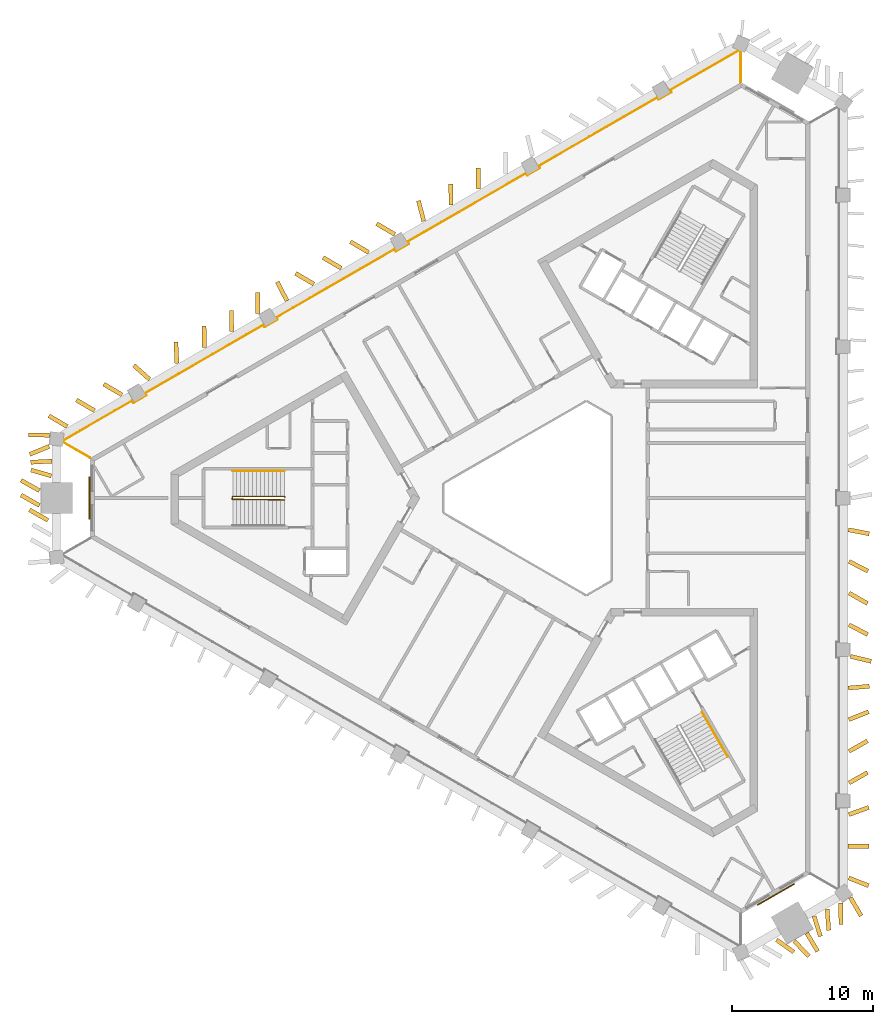
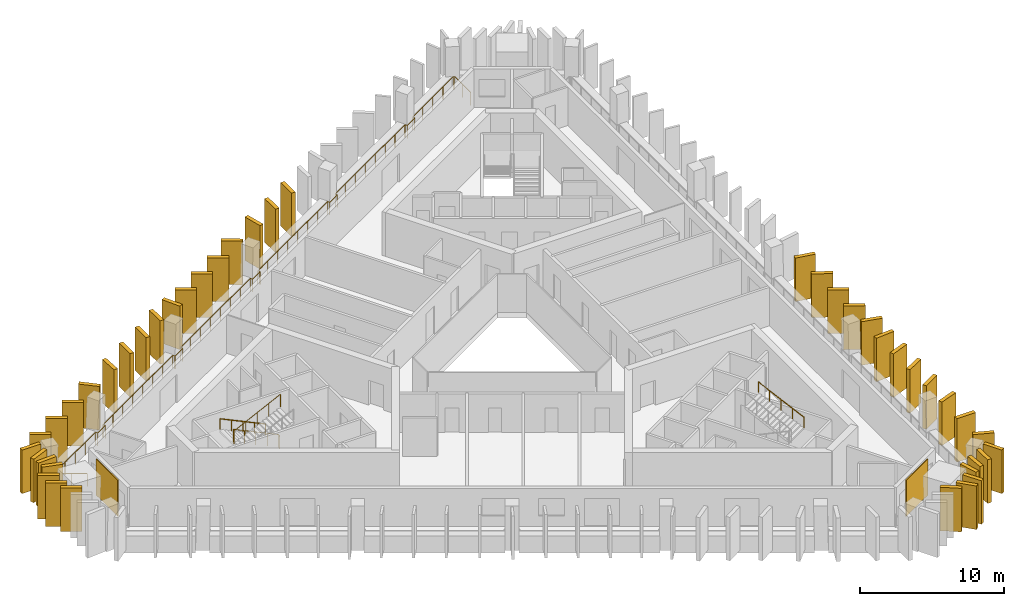
# One storey, part 8 of 9: 42 shading devices, 4 railings, 2 coverings.
"""IFC4 building model written with IfcOpenShell, lengths in metres."""

from ifc_helpers import new_model, si_unit, direction, frame, frame_2d, origin, origin_2d, place, context, subcontext, project, spatial, rectangle, circle, extrude, material, layer, layer_set, type_object, element, save


model = new_model("IFC4")

# Units and contexts
model_context = context("Model", 3, precision=1e-05, world=origin(), true_north=direction((0.0, 1.0)))
body_context = subcontext(model_context, "Body", "Model", "MODEL_VIEW")
ifc_project = project(units=[si_unit("LENGTHUNIT", "METRE"), si_unit("AREAUNIT", "SQUARE_METRE"), si_unit("VOLUMEUNIT", "CUBIC_METRE"), si_unit("PLANEANGLEUNIT", "RADIAN"), si_unit("MASSUNIT", "GRAM", prefix="KILO")], contexts=[model_context])

# Site, building, storey
site_placement = place(None, origin())
site = spatial("IfcSite", under=ifc_project, at=site_placement, CompositionType="ELEMENT")
building_placement = place(site_placement, origin())
building = spatial("IfcBuilding", under=site, at=building_placement, Name="Jabali Bay Hotel Tower and Convention Centre", CompositionType="ELEMENT")
storey_placement = place(building_placement, frame((0.0, 0.0, 182.199951171875)))
storey = spatial("IfcBuildingStorey", under=building, at=storey_placement, Name="L44", CompositionType="ELEMENT", Elevation=182.199951171875)

# Railing
ifc_material_1 = material(Name="Glass", Category="glass")
railing_type_1 = type_object("IfcRailingType", Name="Loggia glass guard 1100", PredefinedType="BALUSTRADE", material=ifc_material_1)
railing_1_placement = place(storey_placement, frame((42.690673828125, 82.85498046875, 0.0)))
element("IfcRailing", 1, at=railing_1_placement, inside=storey, type_object=railing_type_1, Name="Loggia glass guard L44", PredefinedType="BALUSTRADE", context=body_context, shape_type="SweptSolid", body=[
    extrude(circle(Radius=0.02490234375, at=origin_2d()), frame((0.0, 0.0, 1.0751953125), z_axis=(-0.866035418383, 0.499982653806, 0.0), x_axis=(-0.495705232892, -0.858626365323, 0.13052619222)), (0.0, 0.0, 1.0), 2.19287109375),
    extrude(circle(Radius=0.02490234375, at=origin_2d()), frame((-1.899169921875, 1.096435546875, 1.0751953125), z_axis=(0.119984594018, 0.992775753732, 0.0), x_axis=(-0.984282419534, 0.118958109183, 0.13052619222)), (0.0, 0.0, 1.0), 0.126220703125),
    extrude(circle(Radius=0.02490234375, at=origin_2d()), frame((-1.884033203125, 1.2216796875, 1.0751953125), z_axis=(0.866019052629, 0.500011000363, 0.0), x_axis=(-0.49573333694, 0.858610139581, 0.13052619222)), (0.0, 0.0, 1.0), 5.614990234375),
    extrude(circle(Radius=0.02490234375, at=origin_2d()), frame((2.978759765625, 4.029296875, 1.0751953125), z_axis=(0.500486622847, -0.865744269604, 0.0), x_axis=(0.858337707362, 0.496204890408, 0.13052619222)), (0.0, 0.0, 1.0), 0.175048828125),
    extrude(circle(Radius=0.02490234375, at=origin_2d()), frame((3.06640625, 3.877685546875, 1.0751953125), z_axis=(0.86592997719, 0.500165247297, 0.0), x_axis=(-0.495886264271, 0.858521826194, 0.13052619222)), (0.0, 0.0, 1.0), 1.050048828125),
    extrude(circle(Radius=0.02490234375, at=origin_2d()), frame((3.9755859375, 4.40283203125, 1.0751953125), z_axis=(-0.499440622861, 0.866348119543, 0.0), x_axis=(-0.858936391282, -0.495167839097, 0.13052619222)), (0.0, 0.0, 1.0), 0.175048828125),
    extrude(circle(Radius=0.02490234375, at=origin_2d()), frame((3.88818359375, 4.554443359375, 1.0751953125), z_axis=(0.866035443687, 0.499982609976, 0.0), x_axis=(-0.495705189436, 0.858626390411, 0.13052619222)), (0.0, 0.0, 1.0), 9.666748046875),
    extrude(circle(Radius=0.02490234375, at=origin_2d()), frame((12.260009765625, 9.3876953125, 1.0751953125), z_axis=(0.500044870432, -0.865999496279, 0.0), x_axis=(0.858590750538, 0.495766917246, 0.13052619222)), (0.0, 0.0, 1.0), 0.1748046875),
    extrude(circle(Radius=0.02490234375, at=origin_2d()), frame((12.347412109375, 9.236328125, 1.0751953125), z_axis=(0.866088799389, 0.499890179513, 0.0), x_axis=(-0.495613549729, 0.858679289647, 0.13052619222)), (0.0, 0.0, 1.0), 1.050048828125),
    extrude(circle(Radius=0.02490234375, at=origin_2d()), frame((13.2568359375, 9.76123046875, 1.0751953125), z_axis=(-0.500486622847, 0.865744269604, 0.0), x_axis=(-0.858337707362, -0.496204890408, 0.13052619222)), (0.0, 0.0, 1.0), 0.175048828125),
    extrude(circle(Radius=0.02490234375, at=origin_2d()), frame((13.169189453125, 9.912841796875, 1.0751953125), z_axis=(0.866024507931, 0.500001551661, 0.0), x_axis=(-0.495723969073, 0.858615548212, 0.13052619222)), (0.0, 0.0, 1.0), 9.6669921875),
    extrude(circle(Radius=0.02490234375, at=origin_2d()), frame((21.541015625, 14.746337890625, 1.0751953125), z_axis=(0.500486622847, -0.865744269604, 0.0), x_axis=(0.858337707362, 0.496204890408, 0.13052619222)), (0.0, 0.0, 1.0), 0.175048828125),
    extrude(circle(Radius=0.02490234375, at=origin_2d()), frame((21.628662109375, 14.5947265625, 1.0751953125), z_axis=(0.866030680601, 0.499990860175, 0.0), x_axis=(-0.495713369054, 0.858621668074, 0.13052619222)), (0.0, 0.0, 1.0), 1.0498046875),
    extrude(circle(Radius=0.02490234375, at=origin_2d()), frame((22.537841796875, 15.11962890625, 1.0751953125), z_axis=(-0.499440622861, 0.866348119543, 0.0), x_axis=(-0.858936391282, -0.495167839097, 0.13052619222)), (0.0, 0.0, 1.0), 0.175048828125),
    extrude(circle(Radius=0.02490234375, at=origin_2d()), frame((22.450439453125, 15.271240234375, 1.0751953125), z_axis=(0.866018193896, 0.500012487686, 0.0), x_axis=(-0.495734811539, 0.858609288194, 0.13052619222)), (0.0, 0.0, 1.0), 9.666748046875),
    extrude(circle(Radius=0.02490234375, at=origin_2d()), frame((30.822021484375, 20.104736328125, 1.0751953125), z_axis=(0.500486622847, -0.865744269604, 0.0), x_axis=(0.858337707362, 0.496204890408, 0.13052619222)), (0.0, 0.0, 1.0), 0.175048828125),
    extrude(circle(Radius=0.02490234375, at=origin_2d()), frame((30.90966796875, 19.953125, 1.0751953125), z_axis=(0.866030680601, 0.499990860175, 0.0), x_axis=(-0.495713369054, 0.858621668074, 0.13052619222)), (0.0, 0.0, 1.0), 1.0498046875),
    extrude(circle(Radius=0.02490234375, at=origin_2d()), frame((31.81884765625, 20.47802734375, 1.0751953125), z_axis=(-0.499440622861, 0.866348119543, 0.0), x_axis=(-0.858936391282, -0.495167839097, 0.13052619222)), (0.0, 0.0, 1.0), 0.175048828125),
    extrude(circle(Radius=0.02490234375, at=origin_2d()), frame((31.7314453125, 20.629638671875, 1.0751953125), z_axis=(0.866024507931, 0.500001551661, 0.0), x_axis=(-0.495723969073, 0.858615548212, 0.13052619222)), (0.0, 0.0, 1.0), 9.6669921875),
    extrude(circle(Radius=0.02490234375, at=origin_2d()), frame((40.103271484375, 25.463134765625, 1.0751953125), z_axis=(0.499440622861, -0.866348119543, 0.0), x_axis=(0.858936391282, 0.495167839097, 0.13052619222)), (0.0, 0.0, 1.0), 0.175048828125),
    extrude(circle(Radius=0.02490234375, at=origin_2d()), frame((40.190673828125, 25.3115234375, 1.0751953125), z_axis=(0.865988129768, 0.500064554934, 0.0), x_axis=(-0.495786433345, 0.858579481269, 0.13052619222)), (0.0, 0.0, 1.0), 1.050048828125),
    extrude(circle(Radius=0.02490234375, at=origin_2d()), frame((41.10009765625, 25.836669921875, 1.0751953125), z_axis=(-0.501091290591, 0.865394429433, 0.0), x_axis=(-0.857990860123, -0.496804385136, 0.13052619222)), (0.0, 0.0, 1.0), 0.1748046875),
    extrude(circle(Radius=0.02490234375, at=origin_2d()), frame((41.012451171875, 25.988037109375, 1.0751953125), z_axis=(0.866029922297, 0.499992173624, 0.0), x_axis=(-0.495714671267, 0.858620916258, 0.13052619222)), (0.0, 0.0, 1.0), 5.615234375),
    extrude(circle(Radius=0.02490234375, at=origin_2d()), frame((45.87548828125, 28.795654296875, 1.0751953125), z_axis=(0.9195450827, -0.39298453008, 0.0), x_axis=(0.389622492947, 0.911678247044, 0.13052619222)), (0.0, 0.0, 1.0), 0.126220703125),
    extrude(circle(Radius=0.02490234375, at=origin_2d()), frame((45.991455078125, 28.74609375, 1.0751953125), z_axis=(0.0, -1.0, 0.0), x_axis=(0.991444861374, 0.0, 0.13052619222)), (0.0, 0.0, 1.0), 2.19287109375),
    extrude(circle(Radius=0.02001953125, at=origin_2d()), origin(), (0.0, 0.0, 1.0), 1.050048828125),
    extrude(circle(Radius=0.02001953125, at=origin_2d()), frame((-0.94970703125, 0.54833984375, 0.0)), (0.0, 0.0, 1.0), 1.050048828125),
    extrude(circle(Radius=0.02001953125, at=origin_2d()), frame((-1.899169921875, 1.096435546875, 0.0)), (0.0, 0.0, 1.0), 1.050048828125),
    extrude(circle(Radius=0.02001953125, at=origin_2d()), frame((-1.884033203125, 1.2216796875, 0.0)), (0.0, 0.0, 1.0), 1.050048828125),
    extrude(circle(Radius=0.02001953125, at=origin_2d()), frame((-0.66845703125, 1.923583984375, 0.0)), (0.0, 0.0, 1.0), 1.050048828125),
    extrude(circle(Radius=0.02001953125, at=origin_2d()), frame((0.54736328125, 2.62548828125, 0.0)), (0.0, 0.0, 1.0), 1.050048828125),
    extrude(circle(Radius=0.02001953125, at=origin_2d()), frame((1.76318359375, 3.327392578125, 0.0)), (0.0, 0.0, 1.0), 1.050048828125),
    extrude(circle(Radius=0.02001953125, at=origin_2d()), frame((2.978759765625, 4.029296875, 0.0)), (0.0, 0.0, 1.0), 1.050048828125),
    extrude(circle(Radius=0.02001953125, at=origin_2d()), frame((3.06640625, 3.877685546875, 0.0)), (0.0, 0.0, 1.0), 1.050048828125),
    extrude(circle(Radius=0.02001953125, at=origin_2d()), frame((3.9755859375, 4.40283203125, 0.0)), (0.0, 0.0, 1.0), 1.050048828125),
    extrude(circle(Radius=0.02001953125, at=origin_2d()), frame((3.88818359375, 4.554443359375, 0.0)), (0.0, 0.0, 1.0), 1.050048828125),
    extrude(circle(Radius=0.02001953125, at=origin_2d()), frame((5.084228515625, 5.244873046875, 0.0)), (0.0, 0.0, 1.0), 1.050048828125),
    extrude(circle(Radius=0.02001953125, at=origin_2d()), frame((6.280029296875, 5.935302734375, 0.0)), (0.0, 0.0, 1.0), 1.050048828125),
    extrude(circle(Radius=0.02001953125, at=origin_2d()), frame((7.47607421875, 6.625732421875, 0.0)), (0.0, 0.0, 1.0), 1.050048828125),
    extrude(circle(Radius=0.02001953125, at=origin_2d()), frame((8.672119140625, 7.31640625, 0.0)), (0.0, 0.0, 1.0), 1.050048828125),
    extrude(circle(Radius=0.02001953125, at=origin_2d()), frame((9.8681640625, 8.0068359375, 0.0)), (0.0, 0.0, 1.0), 1.050048828125),
    extrude(circle(Radius=0.02001953125, at=origin_2d()), frame((11.06396484375, 8.697265625, 0.0)), (0.0, 0.0, 1.0), 1.050048828125),
    extrude(circle(Radius=0.02001953125, at=origin_2d()), frame((12.260009765625, 9.3876953125, 0.0)), (0.0, 0.0, 1.0), 1.050048828125),
    extrude(circle(Radius=0.02001953125, at=origin_2d()), frame((12.347412109375, 9.236328125, 0.0)), (0.0, 0.0, 1.0), 1.050048828125),
    extrude(circle(Radius=0.02001953125, at=origin_2d()), frame((13.2568359375, 9.76123046875, 0.0)), (0.0, 0.0, 1.0), 1.050048828125),
    extrude(circle(Radius=0.02001953125, at=origin_2d()), frame((13.169189453125, 9.912841796875, 0.0)), (0.0, 0.0, 1.0), 1.050048828125),
    extrude(circle(Radius=0.02001953125, at=origin_2d()), frame((14.365234375, 10.603271484375, 0.0)), (0.0, 0.0, 1.0), 1.050048828125),
    extrude(circle(Radius=0.02001953125, at=origin_2d()), frame((15.56103515625, 11.2939453125, 0.0)), (0.0, 0.0, 1.0), 1.050048828125),
    extrude(circle(Radius=0.02001953125, at=origin_2d()), frame((16.757080078125, 11.984375, 0.0)), (0.0, 0.0, 1.0), 1.050048828125),
    extrude(circle(Radius=0.02001953125, at=origin_2d()), frame((17.953125, 12.6748046875, 0.0)), (0.0, 0.0, 1.0), 1.050048828125),
    extrude(circle(Radius=0.02001953125, at=origin_2d()), frame((19.149169921875, 13.365234375, 0.0)), (0.0, 0.0, 1.0), 1.050048828125),
    extrude(circle(Radius=0.02001953125, at=origin_2d()), frame((20.344970703125, 14.055908203125, 0.0)), (0.0, 0.0, 1.0), 1.050048828125),
    extrude(circle(Radius=0.02001953125, at=origin_2d()), frame((21.541015625, 14.746337890625, 0.0)), (0.0, 0.0, 1.0), 1.050048828125),
    extrude(circle(Radius=0.02001953125, at=origin_2d()), frame((21.628662109375, 14.5947265625, 0.0)), (0.0, 0.0, 1.0), 1.050048828125),
    extrude(circle(Radius=0.02001953125, at=origin_2d()), frame((22.537841796875, 15.11962890625, 0.0)), (0.0, 0.0, 1.0), 1.050048828125),
    extrude(circle(Radius=0.02001953125, at=origin_2d()), frame((22.450439453125, 15.271240234375, 0.0)), (0.0, 0.0, 1.0), 1.050048828125),
    extrude(circle(Radius=0.02001953125, at=origin_2d()), frame((23.646484375, 15.961669921875, 0.0)), (0.0, 0.0, 1.0), 1.050048828125),
    extrude(circle(Radius=0.02001953125, at=origin_2d()), frame((24.84228515625, 16.65234375, 0.0)), (0.0, 0.0, 1.0), 1.050048828125),
    extrude(circle(Radius=0.02001953125, at=origin_2d()), frame((26.038330078125, 17.3427734375, 0.0)), (0.0, 0.0, 1.0), 1.050048828125),
    extrude(circle(Radius=0.02001953125, at=origin_2d()), frame((27.234130859375, 18.033203125, 0.0)), (0.0, 0.0, 1.0), 1.050048828125),
    extrude(circle(Radius=0.02001953125, at=origin_2d()), frame((28.43017578125, 18.7236328125, 0.0)), (0.0, 0.0, 1.0), 1.050048828125),
    extrude(circle(Radius=0.02001953125, at=origin_2d()), frame((29.6259765625, 19.414306640625, 0.0)), (0.0, 0.0, 1.0), 1.050048828125),
    extrude(circle(Radius=0.02001953125, at=origin_2d()), frame((30.822021484375, 20.104736328125, 0.0)), (0.0, 0.0, 1.0), 1.050048828125),
    extrude(circle(Radius=0.02001953125, at=origin_2d()), frame((30.90966796875, 19.953125, 0.0)), (0.0, 0.0, 1.0), 1.050048828125),
    extrude(circle(Radius=0.02001953125, at=origin_2d()), frame((31.81884765625, 20.47802734375, 0.0)), (0.0, 0.0, 1.0), 1.050048828125),
    extrude(circle(Radius=0.02001953125, at=origin_2d()), frame((31.7314453125, 20.629638671875, 0.0)), (0.0, 0.0, 1.0), 1.050048828125),
    extrude(circle(Radius=0.02001953125, at=origin_2d()), frame((32.927490234375, 21.320068359375, 0.0)), (0.0, 0.0, 1.0), 1.050048828125),
    extrude(circle(Radius=0.02001953125, at=origin_2d()), frame((34.123291015625, 22.0107421875, 0.0)), (0.0, 0.0, 1.0), 1.050048828125),
    extrude(circle(Radius=0.02001953125, at=origin_2d()), frame((35.3193359375, 22.701171875, 0.0)), (0.0, 0.0, 1.0), 1.050048828125),
    extrude(circle(Radius=0.02001953125, at=origin_2d()), frame((36.515380859375, 23.3916015625, 0.0)), (0.0, 0.0, 1.0), 1.050048828125),
    extrude(circle(Radius=0.02001953125, at=origin_2d()), frame((37.71142578125, 24.08203125, 0.0)), (0.0, 0.0, 1.0), 1.050048828125),
    extrude(circle(Radius=0.02001953125, at=origin_2d()), frame((38.9072265625, 24.772705078125, 0.0)), (0.0, 0.0, 1.0), 1.050048828125),
    extrude(circle(Radius=0.02001953125, at=origin_2d()), frame((40.103271484375, 25.463134765625, 0.0)), (0.0, 0.0, 1.0), 1.050048828125),
    extrude(circle(Radius=0.02001953125, at=origin_2d()), frame((40.190673828125, 25.3115234375, 0.0)), (0.0, 0.0, 1.0), 1.050048828125),
    extrude(circle(Radius=0.02001953125, at=origin_2d()), frame((41.10009765625, 25.836669921875, 0.0)), (0.0, 0.0, 1.0), 1.050048828125),
    extrude(circle(Radius=0.02001953125, at=origin_2d()), frame((41.012451171875, 25.988037109375, 0.0)), (0.0, 0.0, 1.0), 1.050048828125),
    extrude(circle(Radius=0.02001953125, at=origin_2d()), frame((42.228271484375, 26.68994140625, 0.0)), (0.0, 0.0, 1.0), 1.050048828125),
    extrude(circle(Radius=0.02001953125, at=origin_2d()), frame((43.44384765625, 27.391845703125, 0.0)), (0.0, 0.0, 1.0), 1.050048828125),
    extrude(circle(Radius=0.02001953125, at=origin_2d()), frame((44.65966796875, 28.09375, 0.0)), (0.0, 0.0, 1.0), 1.050048828125),
    extrude(circle(Radius=0.02001953125, at=origin_2d()), frame((45.87548828125, 28.795654296875, 0.0)), (0.0, 0.0, 1.0), 1.050048828125),
    extrude(circle(Radius=0.02001953125, at=origin_2d()), frame((45.991455078125, 28.74609375, 0.0)), (0.0, 0.0, 1.0), 1.050048828125),
    extrude(circle(Radius=0.02001953125, at=origin_2d()), frame((45.991455078125, 27.649658203125, 0.0)), (0.0, 0.0, 1.0), 1.050048828125),
    extrude(circle(Radius=0.02001953125, at=origin_2d()), frame((45.991455078125, 26.55322265625, 0.0)), (0.0, 0.0, 1.0), 1.050048828125),
])

# Shading devices
ifc_material_2 = material(Name="Precast concrete C60", Category="concrete")
ifc_layer_1 = layer(ifc_material_2, 0.300048828125)
ifc_layer_set_1 = layer_set([ifc_layer_1], Name="Precast concrete C60")
shading_device_type = type_object("IfcShadingDeviceType", Name="Precast fin 3680 x 1500", PredefinedType="USERDEFINED", material=ifc_layer_set_1)
shading_device_1_placement = place(storey_placement, frame((96.324462890625, 53.151123046875, 0.010009765625), z_axis=(0.0, 0.0, 1.0), x_axis=(0.930737645976, -0.365687618554, 0.0)))
element("IfcShadingDevice", 2, at=shading_device_1_placement, inside=storey, type_object=shading_device_type, Name="Fin L44 000", ObjectType="FIN", PredefinedType="USERDEFINED", context=body_context, shape_type="SweptSolid", body=[
    extrude(rectangle(XDim=1.500244140625, YDim=0.300048828125, at=frame_2d((0.75, 0.0))), origin(), (0.0, 0.0, 1.0), 3.679931640625),
])
for number, where, z_axis, x_axis, name in (
    (3, (96.269775390625, 55.388427734375, 0.010009765625), (0.0, 0.0, 1.0), (0.999998927118, 0.001464842178, 0.0), "Fin L44 001"),
    (4, (96.320556640625, 57.625732421875, 0.010009765625), (0.0, 0.0, 1.0), (0.940825145867, 0.338892379532, 0.0), "Fin L44 002"),
    (5, (96.34375, 59.86328125, 0.010009765625), (0.0, 0.0, 1.0), (0.869831289423, 0.493349296078, 0.0), "Fin L44 003"),
    (6, (96.34375, 62.1005859375, 0.010009765625), (0.0, 0.0, 1.0), (0.86976143765, 0.493472432439, 0.0), "Fin L44 004"),
    (7, (96.3251953125, 64.338134765625, 0.010009765625), (0.0, 0.0, 1.0), (0.928992112376, 0.370099520593, 0.0), "Fin L44 005"),
    (8, (96.2822265625, 66.575439453125, 0.010009765625), (0.0, 0.0, 1.0), (0.996439438063, 0.084311602241, 0.0), "Fin L44 006"),
    (9, (96.453125, 68.81298828125, 0.010009765625), (0.0, 0.0, 1.0), (0.972147456612, -0.234370054834, 0.0), "Fin L44 007"),
    (10, (96.33935546875, 71.05029296875, 0.010009765625), (0.0, 0.0, 1.0), (0.88522870899, -0.465156030574, 0.0), "Fin L44 008"),
    (11, (96.34375, 73.287841796875, 0.010009765625), (0.0, 0.0, 1.0), (0.869831289423, -0.493349296078, 0.0), "Fin L44 009"),
    (12, (96.337890625, 75.525146484375, 0.010009765625), (0.0, 0.0, 1.0), (0.890685204933, -0.454620573351, 0.0), "Fin L44 010"),
    (13, (96.298095703125, 77.7626953125, 0.010009765625), (0.0, 0.0, 1.0), (0.981921602273, -0.189288052949, 0.0), "Fin L44 011"),
):
    element("IfcShadingDevice", number, at=place(storey_placement, frame(where, z_axis=z_axis, x_axis=x_axis)), inside=storey, type_object=shading_device_type, Name=name, ObjectType="FIN", PredefinedType="USERDEFINED", context=body_context, shape_type="SweptSolid", body=[
        extrude(rectangle(XDim=1.5, YDim=0.300048828125, at=frame_2d((0.75, 0.0))), origin(), (0.0, 0.0, 1.0), 3.679931640625),
    ])
shading_device_2_placement = place(storey_placement, frame((70.14111328125, 101.84033203125, 0.010009765625), z_axis=(0.0, 0.0, 1.0), x_axis=(-0.007650760936, 0.9999707325, 0.0)))
element("IfcShadingDevice", 14, at=shading_device_2_placement, inside=storey, type_object=shading_device_type, Name="Fin L44 042", ObjectType="FIN", PredefinedType="USERDEFINED", context=body_context, shape_type="SweptSolid", body=[
    extrude(rectangle(XDim=1.499755859375, YDim=0.300048828125, at=frame_2d((0.75, 0.0))), origin(), (0.0, 0.0, 1.0), 3.679931640625),
])
for number, where, z_axis, x_axis, name in (
    (15, (68.20361328125, 100.721435546875, 0.010009765625), (0.0, 0.0, 1.0), (-0.007812261592, 0.999969483819, 0.0), "Fin L44 043"),
    (16, (66.282958984375, 99.5732421875, 0.010009765625), (0.0, 0.0, 1.0), (-0.251944835707, 0.967741597618, 0.0), "Fin L44 044"),
):
    element("IfcShadingDevice", number, at=place(storey_placement, frame(where, z_axis=z_axis, x_axis=x_axis)), inside=storey, type_object=shading_device_type, Name=name, ObjectType="FIN", PredefinedType="USERDEFINED", context=body_context, shape_type="SweptSolid", body=[
        extrude(rectangle(XDim=1.5, YDim=0.300048828125, at=frame_2d((0.75, 0.0))), origin(), (0.0, 0.0, 1.0), 3.679931640625),
    ])
shading_device_3_placement = place(storey_placement, frame((64.237060546875, 98.64208984375, 0.010009765625), z_axis=(0.0, 0.0, 1.0), x_axis=(-0.862180937869, 0.506600464248, 0.0)))
element("IfcShadingDevice", 17, at=shading_device_3_placement, inside=storey, type_object=shading_device_type, Name="Fin L44 045", ObjectType="FIN", PredefinedType="USERDEFINED", context=body_context, shape_type="SweptSolid", body=[
    extrude(rectangle(XDim=1.500244140625, YDim=0.300048828125, at=frame_2d((0.75, 0.0))), origin(), (0.0, 0.0, 1.0), 3.679931640625),
])
for number, where, z_axis, x_axis, name in (
    (18, (62.390625, 97.365478515625, 0.010009765625), (0.0, 0.0, 1.0), (-0.862252015738, 0.506479477723, 0.0), "Fin L44 046"),
    (19, (60.452880859375, 96.246826171875, 0.010009765625), (0.0, 0.0, 1.0), (-0.862210257959, 0.506550561218, 0.0), "Fin L44 047"),
    (20, (58.51513671875, 95.1279296875, 0.010009765625), (0.0, 0.0, 1.0), (-0.862139163582, 0.506671552998, 0.0), "Fin L44 048"),
    (21, (56.611083984375, 93.951171875, 0.010009765625), (0.0, 0.0, 1.0), (-0.45999405328, 0.887921995981, 0.0), "Fin L44 049"),
    (22, (54.548583984375, 93.048583984375, 0.010009765625), (0.0, 0.0, 1.0), (-0.007649515767, 0.999970742026, 0.0), "Fin L44 050"),
):
    element("IfcShadingDevice", number, at=place(storey_placement, frame(where, z_axis=z_axis, x_axis=x_axis)), inside=storey, type_object=shading_device_type, Name=name, ObjectType="FIN", PredefinedType="USERDEFINED", context=body_context, shape_type="SweptSolid", body=[
        extrude(rectangle(XDim=1.5, YDim=0.300048828125, at=frame_2d((0.75, 0.0))), origin(), (0.0, 0.0, 1.0), 3.679931640625),
    ])
shading_device_4_placement = place(storey_placement, frame((52.7021484375, 91.77197265625, 0.010009765625), z_axis=(0.0, 0.0, 1.0), x_axis=(-0.007650760936, 0.9999707325, 0.0)))
element("IfcShadingDevice", 23, at=shading_device_4_placement, inside=storey, type_object=shading_device_type, Name="Fin L44 051", ObjectType="FIN", PredefinedType="USERDEFINED", context=body_context, shape_type="SweptSolid", body=[
    extrude(rectangle(XDim=1.499755859375, YDim=0.300048828125, at=frame_2d((0.75, 0.0))), origin(), (0.0, 0.0, 1.0), 3.679931640625),
])
for number, where, z_axis, x_axis, name in (
    (24, (50.7646484375, 90.653076171875, 0.010009765625), (0.0, 0.0, 1.0), (-0.007649515767, 0.999970742026, 0.0), "Fin L44 052"),
    (25, (48.82958984375, 89.530029296875, 0.010009765625), (0.0, 0.0, 1.0), (-0.046876877038, 0.998900674942, 0.0), "Fin L44 053"),
    (26, (46.902587890625, 88.392578125, 0.010009765625), (0.0, 0.0, 1.0), (-0.747085947569, 0.664727453131, 0.0), "Fin L44 054"),
    (27, (44.95166015625, 87.297119140625, 0.010009765625), (0.0, 0.0, 1.0), (-0.862139163582, 0.506671552998, 0.0), "Fin L44 055"),
    (28, (43.013916015625, 86.178466796875, 0.010009765625), (0.0, 0.0, 1.0), (-0.862139163582, 0.506671552998, 0.0), "Fin L44 056"),
):
    element("IfcShadingDevice", number, at=place(storey_placement, frame(where, z_axis=z_axis, x_axis=x_axis)), inside=storey, type_object=shading_device_type, Name=name, ObjectType="FIN", PredefinedType="USERDEFINED", context=body_context, shape_type="SweptSolid", body=[
        extrude(rectangle(XDim=1.5, YDim=0.300048828125, at=frame_2d((0.75, 0.0))), origin(), (0.0, 0.0, 1.0), 3.679931640625),
    ])
shading_device_5_placement = place(storey_placement, frame((41.076416015625, 85.0595703125, 0.010009765625), z_axis=(0.0, 0.0, 1.0), x_axis=(-0.862068063956, 0.50679251485, 0.0)))
element("IfcShadingDevice", 29, at=shading_device_5_placement, inside=storey, type_object=shading_device_type, Name="Fin L44 057", ObjectType="FIN", PredefinedType="USERDEFINED", context=body_context, shape_type="SweptSolid", body=[
    extrude(rectangle(XDim=1.500244140625, YDim=0.300048828125, at=frame_2d((0.75, 0.0))), origin(), (0.0, 0.0, 1.0), 3.679931640625),
])
for number, where, z_axis, x_axis, name in (
    (30, (39.80712890625, 83.66015625, 0.010009765625), (0.0, 0.0, 1.0), (-0.924576949637, -0.380995359814, 0.0), "Fin L44 058"),
    (31, (39.995849609375, 82.6142578125, 0.010009765625), (0.0, 0.0, 1.0), (-0.99857387122, -0.053387486513, 0.0), "Fin L44 059"),
    (32, (39.96240234375, 81.568603515625, 0.010009765625), (0.0, 0.0, 1.0), (-0.960870251911, 0.276998842946, 0.0), "Fin L44 060"),
):
    element("IfcShadingDevice", number, at=place(storey_placement, frame(where, z_axis=z_axis, x_axis=x_axis)), inside=storey, type_object=shading_device_type, Name=name, ObjectType="FIN", PredefinedType="USERDEFINED", context=body_context, shape_type="SweptSolid", body=[
        extrude(rectangle(XDim=1.5, YDim=0.300048828125, at=frame_2d((0.75, 0.0))), origin(), (0.0, 0.0, 1.0), 3.679931640625),
    ])
for number, where, z_axis, x_axis, name in (
    (33, (39.117431640625, 80.52294921875, 0.010009765625), (0.0, 0.0, 1.0), (-0.869870897648, 0.49327945571, 0.0), "Fin L44 061"),
    (34, (39.117431640625, 79.47705078125, 0.010009765625), (0.0, 0.0, 1.0), (-0.869870897648, 0.49327945571, 0.0), "Fin L44 062"),
):
    element("IfcShadingDevice", number, at=place(storey_placement, frame(where, z_axis=z_axis, x_axis=x_axis)), inside=storey, type_object=shading_device_type, Name=name, ObjectType="FIN", PredefinedType="USERDEFINED", context=body_context, shape_type="SweptSolid", body=[
        extrude(rectangle(XDim=1.500244140625, YDim=0.300048828125, at=frame_2d((0.75, 0.0))), origin(), (0.0, 0.0, 1.0), 3.679931640625),
    ])
for number, where, z_axis, x_axis, name in (
    (35, (39.713623046875, 78.431396484375, 0.010009765625), (0.0, 0.0, 1.0), (-0.869831289423, 0.493349296078, 0.0), "Fin L44 063"),
    (36, (91.213134765625, 48.78076171875, 0.010009765625), (0.0, 0.0, 1.0), (0.814447677206, -0.580237004244, 0.0), "Fin L44 093"),
    (37, (92.468994140625, 48.697021484375, 0.010009765625), (0.0, 0.0, 1.0), (0.688308751296, -0.725417853991, 0.0), "Fin L44 094"),
    (38, (93.358154296875, 49.24853515625, 0.010009765625), (0.0, 0.0, 1.0), (0.510756854703, -0.859725209223, 0.0), "Fin L44 095"),
    (39, (93.873046875, 50.4482421875, 0.010009765625), (0.0, 0.0, 1.0), (0.297366633156, -0.954763366225, 0.0), "Fin L44 096"),
    (40, (94.79443359375, 50.943603515625, 0.010009765625), (0.0, 0.0, 1.0), (0.077804247688, -0.996968654995, 0.0), "Fin L44 097"),
    (41, (95.7578125, 51.36669921875, 0.010009765625), (0.0, 0.0, 1.0), (0.007649515767, -0.999970742026, 0.0), "Fin L44 098"),
    (42, (96.440185546875, 51.76513671875, 0.010009765625), (0.0, 0.0, 1.0), (0.506550561218, -0.862210257959, 0.0), "Fin L44 099"),
    (43, (39.827880859375, 84.4501953125, 0.010009765625), (0.0, 0.0, 1.0), (-0.999966887953, 0.008137751367, 0.0), "Fin L44 102"),
):
    element("IfcShadingDevice", number, at=place(storey_placement, frame(where, z_axis=z_axis, x_axis=x_axis)), inside=storey, type_object=shading_device_type, Name=name, ObjectType="FIN", PredefinedType="USERDEFINED", context=body_context, shape_type="SweptSolid", body=[
        extrude(rectangle(XDim=1.5, YDim=0.300048828125, at=frame_2d((0.75, 0.0))), origin(), (0.0, 0.0, 1.0), 3.679931640625),
    ])

# Coverings
ifc_material_3 = material(Name="Precast concrete C40/50", Category="concrete")
ifc_layer_2 = layer(ifc_material_3, 0.080078125)
ifc_layer_set_2 = layer_set([ifc_layer_2], Name="Precast concrete C40/50")
covering_type = type_object("IfcCoveringType", Name="Relief panel 3000 x 3050", PredefinedType="CLADDING", material=ifc_layer_set_2)
for number, where, z_axis, x_axis, name in (
    (44, (42.650634765625, 80.0, 0.10009765625), (0.0, 0.0, 1.0), (0.0, 1.0, 0.0), "Relief panel L44"),
    (45, (91.174560546875, 51.984619140625, 0.10009765625), (0.0, 0.0, 1.0), (-0.866025415487, -0.499999979731, 0.0), "Relief panel L44"),
):
    element("IfcCovering", number, at=place(storey_placement, frame(where, z_axis=z_axis, x_axis=x_axis)), inside=storey, type_object=covering_type, Name=name, PredefinedType="CLADDING", context=body_context, shape_type="SweptSolid", body=[
        extrude(rectangle(XDim=3.0, YDim=0.080078125, at=origin_2d()), origin(), (0.0, 0.0, 1.0), 3.050048828125),
    ])

# Railings
ifc_material_4 = material(Name="Steel Q355B", Category="steel")
railing_type_2 = type_object("IfcRailingType", Name="Stair guard 1100", PredefinedType="GUARDRAIL", material=ifc_material_4)
railing_2_placement = place(storey_placement, frame((56.469970703125, 80.074951171875, 0.0)))
element("IfcRailing", 46, at=railing_2_placement, inside=storey, type_object=railing_type_2, Name="L44 ST1 stair guard 1", PredefinedType="GUARDRAIL", context=body_context, shape_type="SweptSolid", body=[
    extrude(circle(Radius=0.02392578125, at=origin_2d()), frame((0.0, 0.0, 1.076171875), z_axis=(-0.333993628408, 0.333993628408, 0.881417331555), x_axis=(-0.707106781187, -0.707106781187, 0.0)), (0.0, 0.0, 1.0), 0.14990234375),
    extrude(circle(Radius=0.02392578125, at=origin_2d()), frame((-0.050048828125, 0.050048828125, 1.2080078125), z_axis=(-0.904327350853, 0.0, 0.426839598092), x_axis=(0.0, -1.0, 0.0)), (0.0, 0.0, 1.0), 4.02490234375),
    extrude(circle(Radius=0.02392578125, at=origin_2d()), frame((-3.68994140625, 0.050048828125, 2.92626953125), z_axis=(-0.242814311512, -0.970072785993, 0.0), x_axis=(0.970072785993, -0.242814311512, 0.0)), (0.0, 0.0, 1.0), 0.2060546875),
    extrude(circle(Radius=0.02392578125, at=origin_2d()), frame((-3.739990234375, -0.14990234375, 2.92626953125), z_axis=(0.893887803671, -0.012124321804, 0.4481267625), x_axis=(0.013562335953, 0.999908027292, 0.0)), (0.0, 0.0, 1.0), 4.1279296875),
    extrude(circle(Radius=0.02099609375, at=origin_2d()), origin(), (0.0, 0.0, 1.0), 1.052001953125),
    extrude(circle(Radius=0.02099609375, at=origin_2d()), frame((-0.050048828125, 0.050048828125, 0.132080078125)), (0.0, 0.0, 1.0), 1.052001953125),
    extrude(circle(Radius=0.02099609375, at=origin_2d()), frame((-0.9599609375, 0.050048828125, 0.5615234375)), (0.0, 0.0, 1.0), 1.052001953125),
    extrude(circle(Radius=0.02099609375, at=origin_2d()), frame((-1.8701171875, 0.050048828125, 0.9912109375)), (0.0, 0.0, 1.0), 1.052001953125),
    extrude(circle(Radius=0.02099609375, at=origin_2d()), frame((-2.780029296875, 0.050048828125, 1.420654296875)), (0.0, 0.0, 1.0), 1.052001953125),
    extrude(circle(Radius=0.02099609375, at=origin_2d()), frame((-3.68994140625, 0.050048828125, 1.85009765625)), (0.0, 0.0, 1.0), 1.052001953125),
    extrude(circle(Radius=0.02099609375, at=origin_2d()), frame((-3.739990234375, -0.14990234375, 1.85009765625)), (0.0, 0.0, 1.0), 1.052001953125),
    extrude(circle(Radius=0.02099609375, at=origin_2d()), frame((-2.8173828125, -0.162353515625, 2.3125)), (0.0, 0.0, 1.0), 1.052001953125),
    extrude(circle(Radius=0.02099609375, at=origin_2d()), frame((-1.89501953125, -0.1748046875, 2.77490234375)), (0.0, 0.0, 1.0), 1.052001953125),
    extrude(circle(Radius=0.02099609375, at=origin_2d()), frame((-0.97265625, -0.1875, 3.237548828125)), (0.0, 0.0, 1.0), 1.052001953125),
    extrude(circle(Radius=0.02099609375, at=origin_2d()), frame((-0.050048828125, -0.199951171875, 3.699951171875)), (0.0, 0.0, 1.0), 1.052001953125),
])
railing_type_3 = type_object("IfcRailingType", Name="Stair handrail 900", PredefinedType="HANDRAIL", material=ifc_material_4)
railing_3_placement = place(storey_placement, frame((56.419921875, 81.925048828125, 0.132080078125)))
element("IfcRailing", 47, at=railing_3_placement, inside=storey, type_object=railing_type_3, Name="L44 ST1 stair handrail 1", PredefinedType="HANDRAIL", context=body_context, shape_type="SweptSolid", body=[
    extrude(circle(Radius=0.02392578125, at=origin_2d()), frame((0.0, 0.0, 0.8759765625), z_axis=(-0.904327350853, 0.0, 0.426839598092), x_axis=(0.0, -1.0, 0.0)), (0.0, 0.0, 1.0), 4.02490234375),
    extrude(circle(Radius=0.02099609375, at=origin_2d()), origin(), (0.0, 0.0, 1.0), 0.851806640625),
    extrude(circle(Radius=0.02099609375, at=origin_2d()), frame((-0.909912109375, 0.0, 0.429443359375)), (0.0, 0.0, 1.0), 0.851806640625),
    extrude(circle(Radius=0.02099609375, at=origin_2d()), frame((-1.81982421875, 0.0, 0.85888671875)), (0.0, 0.0, 1.0), 0.851806640625),
    extrude(circle(Radius=0.02099609375, at=origin_2d()), frame((-2.72998046875, 0.0, 1.28857421875)), (0.0, 0.0, 1.0), 0.851806640625),
    extrude(circle(Radius=0.02099609375, at=origin_2d()), frame((-3.639892578125, 0.0, 1.718017578125)), (0.0, 0.0, 1.0), 0.851806640625),
])
railing_4_placement = place(storey_placement, frame((87.777099609375, 61.719482421875, 1.982177734375)))
element("IfcRailing", 48, at=railing_4_placement, inside=storey, type_object=railing_type_3, Name="L44 ST3 stair handrail 2", PredefinedType="HANDRAIL", context=body_context, shape_type="SweptSolid", body=[
    extrude(circle(Radius=0.02392578125, at=origin_2d()), frame((0.0, 0.0, 0.8759765625), z_axis=(-0.452190331055, 0.783190014029, 0.426775475427), x_axis=(-0.866018046521, -0.500012742938, 0.0)), (0.0, 0.0, 1.0), 4.02490234375),
    extrude(circle(Radius=0.02099609375, at=origin_2d()), origin(), (0.0, 0.0, 1.0), 0.851806640625),
    extrude(circle(Radius=0.02099609375, at=origin_2d()), frame((-0.455078125, 0.7880859375, 0.429443359375)), (0.0, 0.0, 1.0), 0.851806640625),
    extrude(circle(Radius=0.02099609375, at=origin_2d()), frame((-0.91015625, 1.576171875, 0.85888671875)), (0.0, 0.0, 1.0), 0.851806640625),
    extrude(circle(Radius=0.02099609375, at=origin_2d()), frame((-1.364990234375, 2.3642578125, 1.288330078125)), (0.0, 0.0, 1.0), 0.851806640625),
    extrude(circle(Radius=0.02099609375, at=origin_2d()), frame((-1.820068359375, 3.15234375, 1.7177734375)), (0.0, 0.0, 1.0), 0.851806640625),
])

save(model, "model.ifc")
